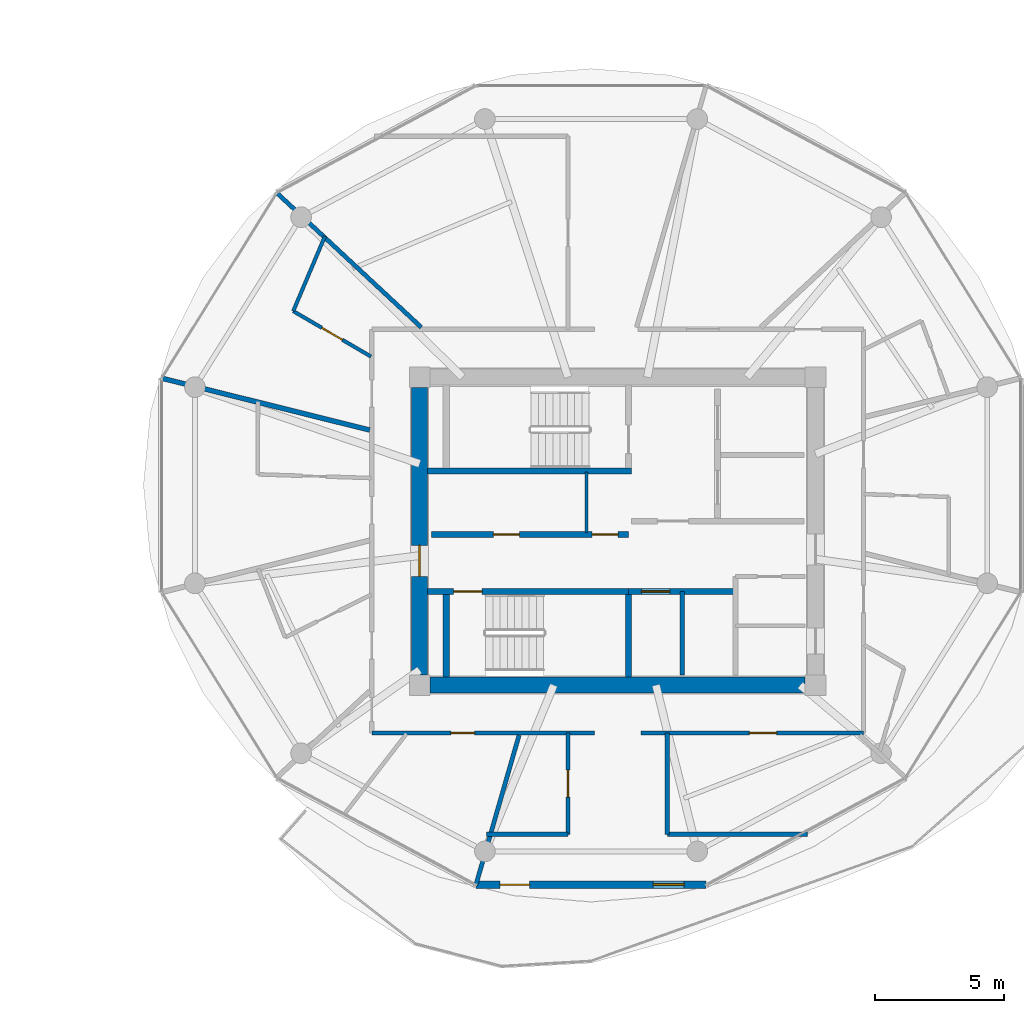
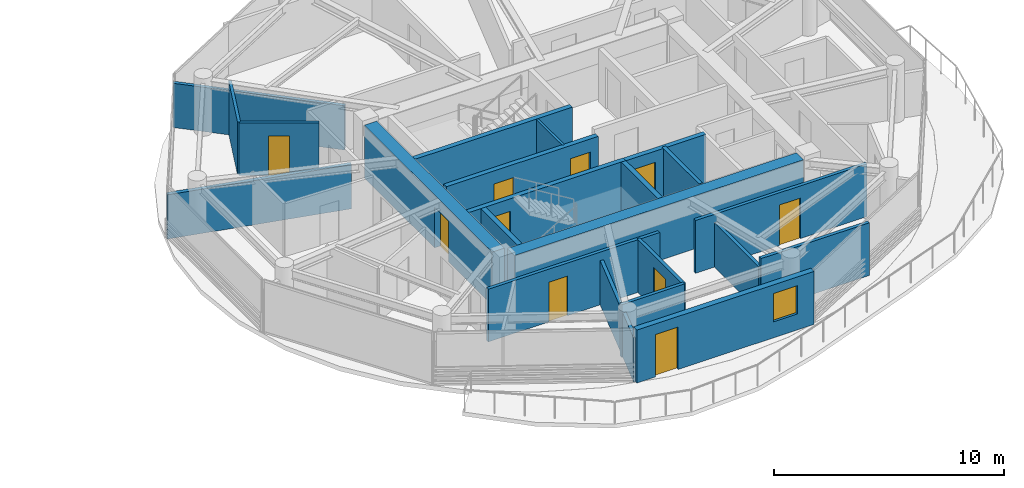
# One storey, part 15 of 22: 22 walls, 10 doors, 1 window, 11 openings.
"""IFC4 building model written with IfcOpenShell, lengths in metres."""

import ifcopenshell
import ifcopenshell.guid

model = None  # the IFC model being written
_history = None  # IfcOwnerHistory: only IFC2X3 demands one
_inside = {}  # id of a spatial element -> (the spatial element, [elements in it])
_under = {}  # id of a project, library or spatial element -> (it, [spatial elements below it])
_declared = {}  # id of a project -> (the project, [libraries it declares])
_typed = {}  # id of a type object -> (the type object, [elements of that type])
_made_of = {}  # id of a material, layer set ... -> (it, [elements and type objects made of it])


def new_model(schema):
    """Start an empty IFC model of exactly this schema.

    Asked for "IFC4X3", IfcOpenShell would pick the latest addendum, in which some entities
    have other attributes; the version numbers below select the first issue.
    IFC2X3 requires an IfcOwnerHistory on every rooted entity: one is made here for all.
    """
    global model, _history
    if schema == "IFC4X3":
        model = ifcopenshell.file(schema_version=(4, 3, 0, 0))
    else:
        model = ifcopenshell.file(schema=schema)
    _inside.clear()
    _under.clear()
    _declared.clear()
    _typed.clear()
    _made_of.clear()
    _history = None
    if model.schema == "IFC2X3":
        org = make("IfcOrganization", Name="unknown")
        user = make(
            "IfcPersonAndOrganization",
            ThePerson=make("IfcPerson", FamilyName="unknown"),
            TheOrganization=org,
        )
        app = make(
            "IfcApplication",
            ApplicationDeveloper=org,
            Version="unknown",
            ApplicationFullName="unknown",
            ApplicationIdentifier="unknown",
        )
        _history = make(
            "IfcOwnerHistory",
            OwningUser=user,
            OwningApplication=app,
            ChangeAction="ADDED",
            CreationDate=0,
        )
    return model


def make(cls, **values):
    """One entity of the class cls with the attributes given. An attribute that is None is left unset."""
    return model.create_entity(
        cls, **{name: value for name, value in values.items() if value is not None}
    )


def rooted(cls, **values):
    """An entity with a GlobalId (a new one), such as an element, a storey or a relation."""
    return make(cls, GlobalId=ifcopenshell.guid.new(), OwnerHistory=_history, **values)


def si_unit(unit_type, name, prefix=None):
    """IfcSIUnit, for example si_unit("LENGTHUNIT", "METRE", prefix="MILLI")."""
    return make("IfcSIUnit", UnitType=unit_type, Prefix=prefix, Name=name)


def assignment(units):
    """IfcUnitAssignment: the units of a project."""
    return None if units is None else make("IfcUnitAssignment", Units=units)


def point(xyz):
    """IfcCartesianPoint."""
    return None if xyz is None else make("IfcCartesianPoint", Coordinates=xyz)


def direction(xyz):
    """IfcDirection."""
    return None if xyz is None else make("IfcDirection", DirectionRatios=xyz)


def frame(location, z_axis=None, x_axis=None):
    """IfcAxis2Placement3D, a coordinate frame: its origin and axes. An axis left out is left unset."""
    return make(
        "IfcAxis2Placement3D",
        Location=point(location),
        Axis=direction(z_axis),
        RefDirection=direction(x_axis),
    )


def frame_2d(location, x_axis=None):
    """IfcAxis2Placement2D, a coordinate frame in the plane: its origin and x axis."""
    return make(
        "IfcAxis2Placement2D", Location=point(location), RefDirection=direction(x_axis)
    )


def origin():
    """The frame at (0, 0, 0) with its axes left unset."""
    return frame((0.0, 0.0, 0.0))


def place(relative_to, where):
    """IfcLocalPlacement: puts the frame where relative to a parent placement (None: the world)."""
    return make(
        "IfcLocalPlacement", PlacementRelTo=relative_to, RelativePlacement=where
    )


def context(
    kind, dimensions, precision=None, world=None, true_north=None, identifier=None
):
    """IfcGeometricRepresentationContext, for example the 3D "Model" context."""
    return make(
        "IfcGeometricRepresentationContext",
        ContextIdentifier=identifier,
        ContextType=kind,
        CoordinateSpaceDimension=dimensions,
        Precision=precision,
        WorldCoordinateSystem=world,
        TrueNorth=true_north,
    )


def subcontext(parent, identifier, kind, view, scale=None):
    """IfcGeometricRepresentationSubContext, for example "Body" below "Model"."""
    return make(
        "IfcGeometricRepresentationSubContext",
        ContextIdentifier=identifier,
        ContextType=kind,
        ParentContext=parent,
        TargetScale=scale,
        TargetView=view,
    )


def project(units=None, contexts=None):
    """IfcProject with its units and contexts."""
    return rooted(
        "IfcProject",
        Name="project",
        RepresentationContexts=contexts,
        UnitsInContext=assignment(units),
    )


def spatial(cls, under=None, at=None, **own):
    """A site, building, storey or space (cls), placed at a placement, below another one or the project."""
    s = rooted(cls, ObjectPlacement=at, **own)
    if under is not None:
        _under.setdefault(under.id(), (under, []))[1].append(s)
    return s


def profile(cls, at=None, kind="AREA", **sizes):
    """A parametric profile (cls). Its sizes go by their IFC names, for example OverallWidth=200.0."""
    return make(cls, ProfileType=kind, Position=at, **sizes)


def rectangle(**sizes):
    """IfcRectangleProfileDef."""
    return profile("IfcRectangleProfileDef", **sizes)


def extrude(swept, where, along, depth):
    """IfcExtrudedAreaSolid: the profile swept, set in the frame where, extruded along a direction by depth."""
    return make(
        "IfcExtrudedAreaSolid",
        SweptArea=swept,
        Position=where,
        ExtrudedDirection=direction(along),
        Depth=depth,
    )


def shape(context_of_items, identifier, shape_type, items):
    """IfcShapeRepresentation: the items that make up one representation, for example the "Body"."""
    return make(
        "IfcShapeRepresentation",
        ContextOfItems=context_of_items,
        RepresentationIdentifier=identifier,
        RepresentationType=shape_type,
        Items=items,
    )


def source(mapping_origin, context_of_items, identifier, shape_type, items):
    """IfcRepresentationMap: a shape defined once, which mapped items show again and again."""
    return make(
        "IfcRepresentationMap",
        MappingOrigin=mapping_origin,
        MappedRepresentation=shape(context_of_items, identifier, shape_type, items),
    )


def transform(
    local_origin,
    x_axis=None,
    y_axis=None,
    z_axis=None,
    scale=None,
    scale2=None,
    scale3=None,
    uniform=True,
):
    """IfcCartesianTransformationOperator3D, or its non-uniform kind. x_axis, y_axis, z_axis: its Axis1, 2, 3."""
    if uniform:
        return make(
            "IfcCartesianTransformationOperator3D",
            Axis1=direction(x_axis),
            Axis2=direction(y_axis),
            LocalOrigin=point(local_origin),
            Scale=scale,
            Axis3=direction(z_axis),
        )
    return make(
        "IfcCartesianTransformationOperator3DnonUniform",
        Axis1=direction(x_axis),
        Axis2=direction(y_axis),
        LocalOrigin=point(local_origin),
        Scale=scale,
        Axis3=direction(z_axis),
        Scale2=scale2,
        Scale3=scale3,
    )


def mapped(mapping_source, mapping_target):
    """IfcMappedItem: shows the shape of a source again, moved by a transform."""
    return make(
        "IfcMappedItem", MappingSource=mapping_source, MappingTarget=mapping_target
    )


def material(Name=None, Category=None):
    """IfcMaterial."""
    return make("IfcMaterial", Name=Name, Category=Category)


def layer(
    of_material, thickness, ventilated=None, Name=None, Category=None, Priority=None
):
    """IfcMaterialLayer: one layer of a wall or slab, of a material (None: an air gap)."""
    return make(
        "IfcMaterialLayer",
        Material=of_material,
        LayerThickness=thickness,
        IsVentilated=ventilated,
        Name=Name,
        Category=Category,
        Priority=Priority,
    )


def layer_set(layers, Name=None):
    """IfcMaterialLayerSet."""
    return make("IfcMaterialLayerSet", MaterialLayers=layers, LayerSetName=Name)


def made_of(thing, what):
    """Note that an element or type object is made of a material, layer set ...; save() writes the relation."""
    if what is not None:
        _made_of.setdefault(what.id(), (what, []))[1].append(thing)
    return thing


def type_object(cls, material=None, **own):
    """A type object (cls), such as IfcWallType, which elements share."""
    return made_of(rooted(cls, **own), material)


def type_shapes(of_type, sources):
    """Give a type object the sources (RepresentationMaps) that its elements show as mapped items."""
    of_type.RepresentationMaps = sources


def element(
    cls,
    number,
    at=None,
    inside=None,
    cuts=None,
    type_object=None,
    material=None,
    context=None,
    identifier="Body",
    shape_type=None,
    held_by="IfcProductDefinitionShape",
    body=None,
    shapes=None,
    **own,
):
    """One element of the class cls, such as IfcWall. Its Tag is "e" and its number.

    at: its placement. inside: the storey or other place that contains it. cuts: it is an
    opening in that element (IfcRelVoidsElement). A single representation is given by context,
    identifier, shape_type and body (its items); several are given by shapes. held_by: the class
    of the entity that holds the representations. save() writes the other relations.
    """
    e = rooted(cls, Tag="e%d" % number, ObjectPlacement=at, **own)
    if body is not None:
        shapes = [shape(context, identifier, shape_type, body)]
    if shapes is not None:
        e.Representation = make(held_by, Representations=shapes)
    if inside is not None:
        _inside.setdefault(inside.id(), (inside, []))[1].append(e)
    if cuts is not None:
        rooted(
            "IfcRelVoidsElement", RelatingBuildingElement=cuts, RelatedOpeningElement=e
        )
    if type_object is not None:
        _typed.setdefault(type_object.id(), (type_object, []))[1].append(e)
    return made_of(e, material)


def fill(opening, filler):
    """IfcRelFillsElement: the door or window that sits in an opening."""
    return rooted(
        "IfcRelFillsElement",
        RelatingOpeningElement=opening,
        RelatedBuildingElement=filler,
    )


def aggregate(whole, parts):
    """IfcRelAggregates: a whole, such as a stair, and the parts it consists of."""
    return rooted("IfcRelAggregates", RelatingObject=whole, RelatedObjects=parts)


def save(model, path):
    """Write the relations noted so far, then the file.

    IfcRelAggregates (storeys below a building ...), IfcRelContainedInSpatialStructure (elements
    in a storey), IfcRelDefinesByType, IfcRelAssociatesMaterial and IfcRelDeclares: one each for
    every whole, place, type object, material and project.
    """
    for whole, parts in _under.values():
        aggregate(whole, parts)
    for where, things in _inside.values():
        rooted(
            "IfcRelContainedInSpatialStructure",
            RelatedElements=things,
            RelatingStructure=where,
        )
    for kind, things in _typed.values():
        rooted("IfcRelDefinesByType", RelatedObjects=things, RelatingType=kind)
    for what, things in _made_of.values():
        rooted("IfcRelAssociatesMaterial", RelatedObjects=things, RelatingMaterial=what)
    for by, libraries in _declared.values():
        rooted("IfcRelDeclares", RelatingContext=by, RelatedDefinitions=libraries)
    model.write(path)


model = new_model("IFC4")

# Units and contexts
model_context = context("Model", 3, precision=1e-05, world=origin(), true_north=direction((0.0, 1.0)))
body_context = subcontext(model_context, "Body", "Model", "MODEL_VIEW")
ifc_project = project(units=[si_unit("LENGTHUNIT", "METRE"), si_unit("AREAUNIT", "SQUARE_METRE"), si_unit("VOLUMEUNIT", "CUBIC_METRE"), si_unit("PLANEANGLEUNIT", "RADIAN"), si_unit("MASSUNIT", "GRAM", prefix="KILO")], contexts=[model_context])

# Site, building, storey
site_placement = place(None, origin())
site = spatial("IfcSite", under=ifc_project, at=site_placement, CompositionType="ELEMENT")
building_placement = place(site_placement, origin())
building = spatial("IfcBuilding", under=site, at=building_placement, Name="Norrkilde Senior Care Towers", CompositionType="ELEMENT")
storey_placement = place(building_placement, frame((0.0, 0.0, 152.60009765625)))
storey = spatial("IfcBuildingStorey", under=building, at=storey_placement, Name="L47", CompositionType="ELEMENT", Elevation=152.60009765625)

# Wall
ifc_material_1 = material(Name="Concrete C50/60", Category="concrete")
ifc_layer_1 = layer(ifc_material_1, 0.6201171875)
ifc_layer_set_1 = layer_set([ifc_layer_1], Name="Concrete C50/60")
wall_type_1 = type_object("IfcWallType", Name="Core Shear Wall Z3 620", PredefinedType="SHEAR", material=ifc_layer_set_1)
shared_shape_1 = source(origin(), body_context, "Body", "SweptSolid", [
    extrude(rectangle(XDim=14.5, YDim=0.6201171875, at=frame_2d((7.25, 0.0))), origin(), (0.0, 0.0, 1.0), 2.809814453125),
])
wall_1_placement = place(storey_placement, frame((35.25, -5.949951171875, 0.0), z_axis=(0.0, 0.0, 1.0), x_axis=(-1.0, 0.0, 0.0)))
element("IfcWall", 1, at=wall_1_placement, inside=storey, type_object=wall_type_1, Name="L47 Core E South Shear Wall", PredefinedType="SHEAR", context=body_context, shape_type="MappedRepresentation", body=[
    mapped(shared_shape_1, transform((0.0, 0.0, 0.0), x_axis=(1.0, 0.0, 0.0), y_axis=(0.0, 1.0, 0.0), z_axis=(0.0, 0.0, 1.0), scale=1.0)),
])

# Wall, opening, door
shared_shape_2 = source(origin(), body_context, "Body", "SweptSolid", [
    extrude(rectangle(XDim=11.10009765625, YDim=0.6201171875, at=frame_2d((5.550048828125, 0.0))), origin(), (0.0, 0.0, 1.0), 2.809814453125),
])
type_shapes(wall_type_1, [shared_shape_1, shared_shape_2])
wall_2_placement = place(storey_placement, frame((20.35009765625, -5.550048828125, 0.0), z_axis=(0.0, 0.0, 1.0), x_axis=(0.0, 1.0, 0.0)))
wall_2 = element("IfcWall", 2, at=wall_2_placement, inside=storey, type_object=wall_type_1, Name="L47 Core E West Shear Wall", PredefinedType="SHEAR", context=body_context, shape_type="MappedRepresentation", body=[
    mapped(shared_shape_2, transform((0.0, 0.0, 0.0), x_axis=(1.0, 0.0, 0.0), y_axis=(0.0, 1.0, 0.0), z_axis=(0.0, 0.0, 1.0), scale=1.0)),
])
opening_1_placement = place(wall_2_placement, frame((3.800048828125, 0.0, 0.0)))
opening_1 = element("IfcOpeningElement", 3, at=opening_1_placement, cuts=wall_2, Name="Opening D-04", PredefinedType="OPENING", context=body_context, shape_type="SweptSolid", body=[
    extrude(rectangle(XDim=1.199951171875, YDim=2.14990234375, at=frame_2d((0.60009765625, 1.074951171875))), frame((0.0, 0.320068359375, 0.0), z_axis=(0.0, -1.0, 0.0), x_axis=(1.0, 0.0, 0.0)), (0.0, 0.0, 1.0), 0.64013671875),
])
ifc_material_2 = material(Name="Galvanised Painted Steel", Category="steel")
door_type_1 = type_object("IfcDoorType", Name="Firefighting Lobby Fire Door 1200x2150", OperationType="NOTDEFINED", PredefinedType="DOOR", material=ifc_material_2)
shared_shape_3 = source(origin(), body_context, "Body", "SweptSolid", [
    extrude(rectangle(XDim=1.199951171875, YDim=2.14990234375, at=frame_2d((0.60009765625, 1.074951171875))), frame((0.0, 0.02490234375, 0.0), z_axis=(0.0, -1.0, 0.0), x_axis=(1.0, 0.0, 0.0)), (0.0, 0.0, 1.0), 0.050048828125),
])
type_shapes(door_type_1, [shared_shape_3])
door_1_placement = place(opening_1_placement, frame((1.199951171875, 0.0, 0.0), z_axis=(0.0, 0.0, 1.0), x_axis=(-1.0, 0.0, 0.0)))
door_1 = element("IfcDoor", 4, at=door_1_placement, inside=storey, type_object=door_type_1, Name="L47 Core E West Portal Door", OperationType="SINGLE_SWING_LEFT", OverallHeight=2.14990234375, OverallWidth=1.199951171875, PredefinedType="DOOR", context=body_context, shape_type="MappedRepresentation", body=[
    mapped(shared_shape_3, transform((0.0, 0.0, 0.0), x_axis=(1.0, 0.0, 0.0), y_axis=(0.0, 1.0, 0.0), z_axis=(0.0, 0.0, 1.0), scale=1.0)),
])
fill(opening_1, door_1)

# Wall, openings, door, window
ifc_material_3 = material(Name="Precast concrete C45/55", Category="concrete")
ifc_layer_2 = layer(ifc_material_3, 0.2900390625)
ifc_layer_set_2 = layer_set([ifc_layer_2], Name="Precast concrete C45/55")
wall_type_2 = type_object("IfcWallType", Name="Winter Garden Facade Wall 290", PredefinedType="SOLIDWALL", material=ifc_layer_set_2)
shared_shape_4 = source(origin(), body_context, "Body", "SweptSolid", [
    extrude(rectangle(XDim=8.89306640625, YDim=0.2900390625, at=frame_2d((4.446533203125, 0.0))), origin(), (0.0, 0.0, 1.0), 2.809814453125),
])
type_shapes(wall_type_2, [shared_shape_4])
wall_3_placement = place(storey_placement, frame((31.421630859375, -13.66015625, 0.0), z_axis=(0.0, 0.0, 1.0), x_axis=(-1.0, 0.0, 0.0)))
wall_3 = element("IfcWall", 5, at=wall_3_placement, inside=storey, type_object=wall_type_2, Name="L47 Drum E Balcony Access Wall 08", PredefinedType="SOLIDWALL", context=body_context, shape_type="MappedRepresentation", body=[
    mapped(shared_shape_4, transform((0.0, 0.0, 0.0), x_axis=(1.0, 0.0, 0.0), y_axis=(0.0, 1.0, 0.0), z_axis=(0.0, 0.0, 1.0), scale=1.0)),
])
opening_2_placement = place(wall_3_placement, frame((6.820068359375, 0.0, 0.0)))
opening_2 = element("IfcOpeningElement", 6, at=opening_2_placement, cuts=wall_3, Name="Opening D-09", PredefinedType="OPENING", context=body_context, shape_type="SweptSolid", body=[
    extrude(rectangle(XDim=1.14990234375, YDim=2.25, at=frame_2d((0.574951171875, 1.125))), frame((0.0, 0.155029296875, 0.0), z_axis=(0.0, -1.0, 0.0), x_axis=(1.0, 0.0, 0.0)), (0.0, 0.0, 1.0), 0.31005859375),
])
opening_3_placement = place(wall_3_placement, frame((0.85009765625, 0.0, 0.85009765625)))
opening_3 = element("IfcOpeningElement", 7, at=opening_3_placement, cuts=wall_3, Name="Opening WN-07", PredefinedType="OPENING", context=body_context, shape_type="SweptSolid", body=[
    extrude(rectangle(XDim=1.199951171875, YDim=1.5, at=frame_2d((0.60009765625, 0.75))), frame((0.0, 0.155029296875, 0.0), z_axis=(0.0, -1.0, 0.0), x_axis=(1.0, 0.0, 0.0)), (0.0, 0.0, 1.0), 0.31005859375),
])
ifc_material_4 = material(Name="Anodised Aluminium", Category="aluminium")
door_type_2 = type_object("IfcDoorType", Name="Terrace and Balcony Glazed Door 1150x2250", OperationType="NOTDEFINED", PredefinedType="DOOR", material=ifc_material_4)
shared_shape_5 = source(origin(), body_context, "Body", "SweptSolid", [
    extrude(rectangle(XDim=1.14990234375, YDim=2.25, at=frame_2d((0.574951171875, 1.125))), frame((0.0, 0.02490234375, 0.0), z_axis=(0.0, -1.0, 0.0), x_axis=(1.0, 0.0, 0.0)), (0.0, 0.0, 1.0), 0.050048828125),
])
type_shapes(door_type_2, [shared_shape_5])
door_2_placement = place(opening_2_placement, origin())
door_2 = element("IfcDoor", 8, at=door_2_placement, inside=storey, type_object=door_type_2, Name="L47 Drum E Outdoor Terrace Door 08", OperationType="SINGLE_SWING_LEFT", OverallHeight=2.25, OverallWidth=1.14990234375, PredefinedType="DOOR", context=body_context, shape_type="MappedRepresentation", body=[
    mapped(shared_shape_5, transform((0.0, 0.0, 0.0), x_axis=(1.0, 0.0, 0.0), y_axis=(0.0, 1.0, 0.0), z_axis=(0.0, 0.0, 1.0), scale=1.0)),
])
fill(opening_2, door_2)
ifc_material_5 = material(Name="Triple Low-E Insulated Glazing", Category="glass")
window_type = type_object("IfcWindowType", Name="Stairwell Smoke Vent Window 1200x1500", PartitioningType="SINGLE_PANEL", PredefinedType="WINDOW", material=ifc_material_5)
shared_shape_6 = source(origin(), body_context, "Body", "SweptSolid", [
    extrude(rectangle(XDim=1.199951171875, YDim=1.5, at=frame_2d((0.60009765625, 0.75))), frame((0.0, 0.030029296875, 0.0), z_axis=(0.0, -1.0, 0.0), x_axis=(1.0, 0.0, 0.0)), (0.0, 0.0, 1.0), 0.06005859375),
])
type_shapes(window_type, [shared_shape_6])
window_placement = place(opening_3_placement, origin())
window = element("IfcWindow", 9, at=window_placement, inside=storey, type_object=window_type, Name="L47 Drum E Winter Garden Window 08", OverallHeight=1.5, OverallWidth=1.199951171875, PartitioningType="SINGLE_PANEL", PredefinedType="WINDOW", context=body_context, shape_type="MappedRepresentation", body=[
    mapped(shared_shape_6, transform((0.0, 0.0, 0.0), x_axis=(1.0, 0.0, 0.0), y_axis=(0.0, 1.0, 0.0), z_axis=(0.0, 0.0, 1.0), scale=1.0)),
])
fill(opening_3, window)

# Wall, openings, doors
ifc_material_6 = material(Name="Concrete C45/55", Category="concrete")
ifc_layer_3 = layer(ifc_material_6, 0.239990234375)
ifc_layer_set_3 = layer_set([ifc_layer_3], Name="Concrete C45/55")
wall_type_3 = type_object("IfcWallType", Name="Lift and Plant Rated Enclosure Partition 240", PredefinedType="PARTITIONING", material=ifc_layer_set_3)
shared_shape_7 = source(origin(), body_context, "Body", "SweptSolid", [
    extrude(rectangle(XDim=7.619873046875, YDim=0.239990234375, at=frame_2d((3.81005859375, 0.0))), origin(), (0.0, 0.0, 1.0), 2.794921875),
])
wall_4_placement = place(storey_placement, frame((20.800048828125, -0.1298828125, 0.0), z_axis=(0.0, 0.0, 1.0), x_axis=(1.0, 0.0, 0.0)))
wall_4 = element("IfcWall", 10, at=wall_4_placement, inside=storey, type_object=wall_type_3, Name="WL-INT-L47-E-PKAS", PredefinedType="PARTITIONING", context=body_context, shape_type="MappedRepresentation", body=[
    mapped(shared_shape_7, transform((0.0, 0.0, 0.0), x_axis=(1.0, 0.0, 0.0), y_axis=(0.0, 1.0, 0.0), z_axis=(0.0, 0.0, 1.0), scale=1.0)),
])
opening_4_placement = place(wall_4_placement, frame((6.219970703125, 0.0, 0.0)))
opening_4 = element("IfcOpeningElement", 11, at=opening_4_placement, cuts=wall_4, Name="Opening D-10", PredefinedType="OPENING", context=body_context, shape_type="SweptSolid", body=[
    extrude(rectangle(XDim=1.0, YDim=2.10009765625, at=frame_2d((0.5, 1.050048828125))), frame((0.0, 0.1298828125, 0.0), z_axis=(0.0, -1.0, 0.0), x_axis=(1.0, 0.0, 0.0)), (0.0, 0.0, 1.0), 0.260009765625),
])
opening_5_placement = place(wall_4_placement, frame((2.39990234375, 0.0, 0.0)))
opening_5 = element("IfcOpeningElement", 12, at=opening_5_placement, cuts=wall_4, Name="Opening D-10", PredefinedType="OPENING", context=body_context, shape_type="SweptSolid", body=[
    extrude(rectangle(XDim=1.0, YDim=2.10009765625, at=frame_2d((0.5, 1.050048828125))), frame((0.0, 0.1298828125, 0.0), z_axis=(0.0, -1.0, 0.0), x_axis=(1.0, 0.0, 0.0)), (0.0, 0.0, 1.0), 0.260009765625),
])
door_type_3 = type_object("IfcDoorType", Name="Plant and Riser Rated Door 1000x2100", OperationType="NOTDEFINED", PredefinedType="DOOR", material=ifc_material_2)
shared_shape_8 = source(origin(), body_context, "Body", "SweptSolid", [
    extrude(rectangle(XDim=1.0, YDim=2.10009765625, at=frame_2d((0.5, 1.050048828125))), frame((0.0, 0.02490234375, 0.0), z_axis=(0.0, -1.0, 0.0), x_axis=(1.0, 0.0, 0.0)), (0.0, 0.0, 1.0), 0.050048828125),
])
type_shapes(door_type_3, [shared_shape_8])
door_3_placement = place(opening_4_placement, frame((1.0, 0.0, 0.0), z_axis=(0.0, 0.0, 1.0), x_axis=(-1.0, 0.0, 0.0)))
door_3 = element("IfcDoor", 13, at=door_3_placement, inside=storey, type_object=door_type_3, Name="L47 Electrical Riser E Door", OperationType="SINGLE_SWING_LEFT", OverallHeight=2.10009765625, OverallWidth=1.0, PredefinedType="DOOR", context=body_context, shape_type="MappedRepresentation", body=[
    mapped(shared_shape_8, transform((0.0, 0.0, 0.0), x_axis=(1.0, 0.0, 0.0), y_axis=(0.0, 1.0, 0.0), z_axis=(0.0, 0.0, 1.0), scale=1.0)),
])
fill(opening_4, door_3)
door_4_placement = place(opening_5_placement, frame((1.0, 0.0, 0.0), z_axis=(0.0, 0.0, 1.0), x_axis=(-1.0, 0.0, 0.0)))
door_4 = element("IfcDoor", 14, at=door_4_placement, inside=storey, type_object=door_type_3, Name="L47 Clean Supply Store E Door", OperationType="SINGLE_SWING_LEFT", OverallHeight=2.10009765625, OverallWidth=1.0, PredefinedType="DOOR", context=body_context, shape_type="MappedRepresentation", body=[
    mapped(shared_shape_8, transform((0.0, 0.0, 0.0), x_axis=(1.0, 0.0, 0.0), y_axis=(0.0, 1.0, 0.0), z_axis=(0.0, 0.0, 1.0), scale=1.0)),
])
fill(opening_5, door_4)

# Wall
ifc_material_7 = material(Name="Gypsum Acoustic Board")
ifc_layer_4 = layer(ifc_material_7, 0.114990234375)
ifc_layer_set_4 = layer_set([ifc_layer_4], Name="Gypsum Acoustic Board")
wall_type_4 = type_object("IfcWallType", Name="Internal Room Partition 115", PredefinedType="PARTITIONING", material=ifc_layer_set_4)
shared_shape_9 = source(origin(), body_context, "Body", "SweptSolid", [
    extrude(rectangle(XDim=2.330078125, YDim=0.114990234375, at=frame_2d((1.1650390625, 0.0))), origin(), (0.0, 0.0, 1.0), 2.794921875),
])
type_shapes(wall_type_4, [shared_shape_9])
wall_5_placement = place(storey_placement, frame((26.7900390625, -0.050048828125, 0.0), z_axis=(0.0, 0.0, 1.0), x_axis=(0.0, 1.0, 0.0)))
element("IfcWall", 15, at=wall_5_placement, inside=storey, type_object=wall_type_4, Name="WL-INT-L47-E-RISW", PredefinedType="PARTITIONING", context=body_context, shape_type="MappedRepresentation", body=[
    mapped(shared_shape_9, transform((0.0, 0.0, 0.0), x_axis=(1.0, 0.0, 0.0), y_axis=(0.0, 1.0, 0.0), z_axis=(0.0, 0.0, 1.0), scale=1.0)),
])

# Wall, opening, door
shared_shape_10 = source(origin(), body_context, "Body", "SweptSolid", [
    extrude(rectangle(XDim=4.130126953125, YDim=0.239990234375, at=frame_2d((2.06494140625, 0.0))), origin(), (0.0, 0.0, 1.0), 2.794921875),
])
type_shapes(wall_type_3, [shared_shape_7, shared_shape_10])
wall_6_placement = place(storey_placement, frame((28.419921875, -2.330078125, 0.0), z_axis=(0.0, 0.0, 1.0), x_axis=(1.0, 0.0, 0.0)))
wall_6 = element("IfcWall", 16, at=wall_6_placement, inside=storey, type_object=wall_type_3, Name="WL-INT-L47-E-PKBN", PredefinedType="PARTITIONING", context=body_context, shape_type="MappedRepresentation", body=[
    mapped(shared_shape_10, transform((0.0, 0.0, 0.0), x_axis=(1.0, 0.0, 0.0), y_axis=(0.0, 1.0, 0.0), z_axis=(0.0, 0.0, 1.0), scale=1.0)),
])
opening_6_placement = place(wall_6_placement, frame((0.5, 0.0, 0.0)))
opening_6 = element("IfcOpeningElement", 17, at=opening_6_placement, cuts=wall_6, Name="Opening LD-01", PredefinedType="OPENING", context=body_context, shape_type="SweptSolid", body=[
    extrude(rectangle(XDim=1.10009765625, YDim=2.199951171875, at=frame_2d((0.550048828125, 1.10009765625))), frame((0.0, 0.1298828125, 0.0), z_axis=(0.0, -1.0, 0.0), x_axis=(1.0, 0.0, 0.0)), (0.0, 0.0, 1.0), 0.260009765625),
])
ifc_material_8 = material(Name="Stainless Steel", Category="steel")
door_type_4 = type_object("IfcDoorType", Name="Lift Landing Sliding Door 1100x2200", OperationType="NOTDEFINED", PredefinedType="DOOR", material=ifc_material_8)
shared_shape_11 = source(origin(), body_context, "Body", "SweptSolid", [
    extrude(rectangle(XDim=1.10009765625, YDim=2.199951171875, at=frame_2d((0.550048828125, 1.10009765625))), frame((0.0, 0.02490234375, 0.0), z_axis=(0.0, -1.0, 0.0), x_axis=(1.0, 0.0, 0.0)), (0.0, 0.0, 1.0), 0.050048828125),
])
type_shapes(door_type_4, [shared_shape_11])
door_5_placement = place(opening_6_placement, frame((1.10009765625, 0.0, 0.0), z_axis=(0.0, 0.0, 1.0), x_axis=(-1.0, 0.0, 0.0)))
door_5 = element("IfcDoor", 18, at=door_5_placement, inside=storey, type_object=door_type_4, Name="L47 Passenger Lift E3 Landing Door", OperationType="SLIDING_TO_LEFT", OverallHeight=2.199951171875, OverallWidth=1.10009765625, PredefinedType="DOOR", context=body_context, shape_type="MappedRepresentation", body=[
    mapped(shared_shape_11, transform((0.0, 0.0, 0.0), x_axis=(1.0, 0.0, 0.0), y_axis=(0.0, 1.0, 0.0), z_axis=(0.0, 0.0, 1.0), scale=1.0)),
])
fill(opening_6, door_5)

# Wall
ifc_layer_5 = layer(ifc_material_6, 0.179931640625)
ifc_layer_set_5 = layer_set([ifc_layer_5], Name="Concrete C45/55")
wall_type_5 = type_object("IfcWallType", Name="Hoistway Division Rated Partition 180", PredefinedType="PARTITIONING", material=ifc_layer_set_5)
shared_shape_12 = source(origin(), body_context, "Body", "SweptSolid", [
    extrude(rectangle(XDim=3.219970703125, YDim=0.179931640625, at=frame_2d((1.60986328125, 0.0))), origin(), (0.0, 0.0, 1.0), 2.794921875),
])
type_shapes(wall_type_5, [shared_shape_12])
wall_7_placement = place(storey_placement, frame((30.5, -5.550048828125, 0.0), z_axis=(0.0, 0.0, 1.0), x_axis=(0.0, 1.0, 0.0)))
element("IfcWall", 19, at=wall_7_placement, inside=storey, type_object=wall_type_5, Name="WL-INT-L47-E-PL34", PredefinedType="PARTITIONING", context=body_context, shape_type="MappedRepresentation", body=[
    mapped(shared_shape_12, transform((0.0, 0.0, 0.0), x_axis=(1.0, 0.0, 0.0), y_axis=(0.0, 1.0, 0.0), z_axis=(0.0, 0.0, 1.0), scale=1.0)),
])

# Wall, opening, door
ifc_layer_6 = layer(ifc_material_7, 0.1650390625)
ifc_layer_set_6 = layer_set([ifc_layer_6], Name="Gypsum Acoustic Board")
wall_type_6 = type_object("IfcWallType", Name="Corridor Rated Partition 165", PredefinedType="PARTITIONING", material=ifc_layer_set_6)
shared_shape_13 = source(origin(), body_context, "Body", "SweptSolid", [
    extrude(rectangle(XDim=8.60009765625, YDim=0.1650390625, at=frame_2d((4.300048828125, 0.0))), origin(), (0.0, 0.0, 1.0), 2.794921875),
])
wall_8_placement = place(storey_placement, frame((37.5, -7.800048828125, 0.0), z_axis=(0.0, 0.0, 1.0), x_axis=(-1.0, 0.0, 0.0)))
wall_8 = element("IfcWall", 20, at=wall_8_placement, inside=storey, type_object=wall_type_6, Name="WL-INT-L47-E-CRW-S-0", PredefinedType="PARTITIONING", context=body_context, shape_type="MappedRepresentation", body=[
    mapped(shared_shape_13, transform((0.0, 0.0, 0.0), x_axis=(1.0, 0.0, 0.0), y_axis=(0.0, 1.0, 0.0), z_axis=(0.0, 0.0, 1.0), scale=1.0)),
])
opening_7_placement = place(wall_8_placement, frame((3.359130859375, 0.0, 0.0)))
opening_7 = element("IfcOpeningElement", 21, at=opening_7_placement, cuts=wall_8, Name="Opening D-06", PredefinedType="OPENING", context=body_context, shape_type="SweptSolid", body=[
    extrude(rectangle(XDim=1.050048828125, YDim=2.14990234375, at=frame_2d((0.52490234375, 1.074951171875))), frame((0.0, 0.092529296875, 0.0), z_axis=(0.0, -1.0, 0.0), x_axis=(1.0, 0.0, 0.0)), (0.0, 0.0, 1.0), 0.18505859375),
])
ifc_material_9 = material(Name="Nordic Ash Timber", Category="wood")
door_type_5 = type_object("IfcDoorType", Name="Apartment Entrance Fire Door 1050x2150", OperationType="NOTDEFINED", PredefinedType="DOOR", material=ifc_material_9)
shared_shape_14 = source(origin(), body_context, "Body", "SweptSolid", [
    extrude(rectangle(XDim=1.050048828125, YDim=2.14990234375, at=frame_2d((0.52490234375, 1.074951171875))), frame((0.0, 0.02490234375, 0.0), z_axis=(0.0, -1.0, 0.0), x_axis=(1.0, 0.0, 0.0)), (0.0, 0.0, 1.0), 0.050048828125),
])
type_shapes(door_type_5, [shared_shape_14])
door_6_placement = place(opening_7_placement, frame((1.050048828125, 0.0, 0.0), z_axis=(0.0, 0.0, 1.0), x_axis=(-1.0, 0.0, 0.0)))
door_6 = element("IfcDoor", 22, at=door_6_placement, inside=storey, type_object=door_type_5, Name="L47 Reading Lounge SEL Door", OperationType="SINGLE_SWING_RIGHT", OverallHeight=2.14990234375, OverallWidth=1.050048828125, PredefinedType="DOOR", context=body_context, shape_type="MappedRepresentation", body=[
    mapped(shared_shape_14, transform((0.0, 0.0, 0.0), x_axis=(1.0, 0.0, 0.0), y_axis=(0.0, 1.0, 0.0), z_axis=(0.0, 0.0, 1.0), scale=1.0)),
])
fill(opening_7, door_6)

wall_9_placement = place(storey_placement, frame((27.10009765625, -7.800048828125, 0.0), z_axis=(0.0, 0.0, 1.0), x_axis=(-1.0, 0.0, 0.0)))
wall_9 = element("IfcWall", 23, at=wall_9_placement, inside=storey, type_object=wall_type_6, Name="WL-INT-L47-E-CRW-S-1", PredefinedType="PARTITIONING", context=body_context, shape_type="MappedRepresentation", body=[
    mapped(shared_shape_13, transform((0.0, 0.0, 0.0), x_axis=(1.0, 0.0, 0.0), y_axis=(0.0, 1.0, 0.0), z_axis=(0.0, 0.0, 1.0), scale=1.0)),
])
opening_8_placement = place(wall_9_placement, frame((4.62451171875, 0.0, 0.0)))
opening_8 = element("IfcOpeningElement", 24, at=opening_8_placement, cuts=wall_9, Name="Opening D-08", PredefinedType="OPENING", context=body_context, shape_type="SweptSolid", body=[
    extrude(rectangle(XDim=0.919921875, YDim=2.10009765625, at=frame_2d((0.4599609375, 1.050048828125))), frame((0.0, 0.092529296875, 0.0), z_axis=(0.0, -1.0, 0.0), x_axis=(1.0, 0.0, 0.0)), (0.0, 0.0, 1.0), 0.18505859375),
])
door_type_6 = type_object("IfcDoorType", Name="Accessible Wet Room Door 920x2100", OperationType="NOTDEFINED", PredefinedType="DOOR", material=ifc_material_9)
shared_shape_15 = source(origin(), body_context, "Body", "SweptSolid", [
    extrude(rectangle(XDim=0.919921875, YDim=2.10009765625, at=frame_2d((0.4599609375, 1.050048828125))), frame((0.0, 0.02490234375, 0.0), z_axis=(0.0, -1.0, 0.0), x_axis=(1.0, 0.0, 0.0)), (0.0, 0.0, 1.0), 0.050048828125),
])
type_shapes(door_type_6, [shared_shape_15])
door_7_placement = place(opening_8_placement, frame((0.919921875, 0.0, 0.0), z_axis=(0.0, 0.0, 1.0), x_axis=(-1.0, 0.0, 0.0)))
door_7 = element("IfcDoor", 25, at=door_7_placement, inside=storey, type_object=door_type_6, Name="L47 Public Restroom Door", OperationType="SINGLE_SWING_LEFT", OverallHeight=2.10009765625, OverallWidth=0.919921875, PredefinedType="DOOR", context=body_context, shape_type="MappedRepresentation", body=[
    mapped(shared_shape_15, transform((0.0, 0.0, 0.0), x_axis=(1.0, 0.0, 0.0), y_axis=(0.0, 1.0, 0.0), z_axis=(0.0, 0.0, 1.0), scale=1.0)),
])
fill(opening_8, door_7)

# Walls
shared_shape_16 = source(origin(), body_context, "Body", "SweptSolid", [
    extrude(rectangle(XDim=6.035400390625, YDim=0.1650390625, at=frame_2d((3.017578125, 0.0))), origin(), (0.0, 0.0, 1.0), 2.344970703125),
])
wall_10_placement = place(storey_placement, frame((24.19384765625, -7.8798828125, 0.0), z_axis=(0.0, 0.0, 1.0), x_axis=(-0.276809454862, -0.960924828329, 0.0)))
element("IfcWall", 26, at=wall_10_placement, inside=storey, type_object=wall_type_6, Name="WL-INT-L47-E-DEM-08-0", PredefinedType="PARTITIONING", context=body_context, shape_type="MappedRepresentation", body=[
    mapped(shared_shape_16, transform((0.0, 0.0, 0.0), x_axis=(1.0, 0.0, 0.0), y_axis=(0.0, 1.0, 0.0), z_axis=(0.0, 0.0, 1.0), scale=1.0)),
])
ifc_layer_7 = layer(ifc_material_7, 0.18994140625)
ifc_layer_set_7 = layer_set([ifc_layer_7], Name="Gypsum Acoustic Board")
wall_type_7 = type_object("IfcWallType", Name="Unit Demising Acoustic Wall 190", PredefinedType="PARTITIONING", material=ifc_layer_set_7)
shared_shape_17 = source(origin(), body_context, "Body", "SweptSolid", [
    extrude(rectangle(XDim=8.305419921875, YDim=0.18994140625, at=frame_2d((4.15283203125, 0.0))), origin(), (0.0, 0.0, 1.0), 2.344970703125),
])
type_shapes(wall_type_7, [shared_shape_17])
wall_11_placement = place(storey_placement, frame((18.419921875, 3.90771484375, 0.0), z_axis=(0.0, 0.0, 1.0), x_axis=(-0.970309994378, 0.241864662175, 0.0)))
element("IfcWall", 27, at=wall_11_placement, inside=storey, type_object=wall_type_7, Name="WL-INT-L47-E-DEM-05-0", PredefinedType="PARTITIONING", context=body_context, shape_type="MappedRepresentation", body=[
    mapped(shared_shape_17, transform((0.0, 0.0, 0.0), x_axis=(1.0, 0.0, 0.0), y_axis=(0.0, 1.0, 0.0), z_axis=(0.0, 0.0, 1.0), scale=1.0)),
])
shared_shape_18 = source(origin(), body_context, "Body", "SweptSolid", [
    extrude(rectangle(XDim=7.648193359375, YDim=0.1650390625, at=frame_2d((3.82421875, 0.0))), origin(), (0.0, 0.0, 1.0), 2.344970703125),
])
wall_12_placement = place(storey_placement, frame((20.41259765625, 7.8798828125, 0.0), z_axis=(0.0, 0.0, 1.0), x_axis=(-0.732182665826, 0.681108320213, 0.0)))
element("IfcWall", 28, at=wall_12_placement, inside=storey, type_object=wall_type_6, Name="WL-INT-L47-E-DEM-04-0", PredefinedType="PARTITIONING", context=body_context, shape_type="MappedRepresentation", body=[
    mapped(shared_shape_18, transform((0.0, 0.0, 0.0), x_axis=(1.0, 0.0, 0.0), y_axis=(0.0, 1.0, 0.0), z_axis=(0.0, 0.0, 1.0), scale=1.0)),
])
ifc_layer_8 = layer(ifc_material_6, 0.239990234375)
ifc_layer_set_8 = layer_set([ifc_layer_8], Name="Concrete C45/55")
wall_type_8 = type_object("IfcWallType", Name="Shaft and Stair Enclosure Wall 240", PredefinedType="PARTITIONING", material=ifc_layer_set_8)
shared_shape_19 = source(origin(), body_context, "Body", "SweptSolid", [
    extrude(rectangle(XDim=7.880126953125, YDim=0.239990234375, at=frame_2d((3.93994140625, 0.0))), origin(), (0.0, 0.0, 1.0), 2.809814453125),
])
wall_13_placement = place(storey_placement, frame((20.659912109375, 2.330078125, 0.0), z_axis=(0.0, 0.0, 1.0), x_axis=(1.0, 0.0, 0.0)))
element("IfcWall", 29, at=wall_13_placement, inside=storey, type_object=wall_type_8, Name="WL-INT-L47-E-ST1S", PredefinedType="PARTITIONING", context=body_context, shape_type="MappedRepresentation", body=[
    mapped(shared_shape_19, transform((0.0, 0.0, 0.0), x_axis=(1.0, 0.0, 0.0), y_axis=(0.0, 1.0, 0.0), z_axis=(0.0, 0.0, 1.0), scale=1.0)),
])

# Wall, opening, door
wall_14_placement = place(storey_placement, frame((20.659912109375, -2.330078125, 0.0), z_axis=(0.0, 0.0, 1.0), x_axis=(1.0, 0.0, 0.0)))
wall_14 = element("IfcWall", 30, at=wall_14_placement, inside=storey, type_object=wall_type_8, Name="WL-INT-L47-E-ST2N", PredefinedType="PARTITIONING", context=body_context, shape_type="MappedRepresentation", body=[
    mapped(shared_shape_19, transform((0.0, 0.0, 0.0), x_axis=(1.0, 0.0, 0.0), y_axis=(0.0, 1.0, 0.0), z_axis=(0.0, 0.0, 1.0), scale=1.0)),
])
opening_9_placement = place(wall_14_placement, frame((1.0, 0.0, 0.0)))
opening_9 = element("IfcOpeningElement", 31, at=opening_9_placement, cuts=wall_14, Name="Opening D-03", PredefinedType="OPENING", context=body_context, shape_type="SweptSolid", body=[
    extrude(rectangle(XDim=1.10009765625, YDim=2.14990234375, at=frame_2d((0.550048828125, 1.074951171875))), frame((0.0, 0.1298828125, 0.0), z_axis=(0.0, -1.0, 0.0), x_axis=(1.0, 0.0, 0.0)), (0.0, 0.0, 1.0), 0.260009765625),
])
door_type_7 = type_object("IfcDoorType", Name="Stairwell Protected Fire Door 1100x2150", OperationType="NOTDEFINED", PredefinedType="DOOR", material=ifc_material_2)
shared_shape_20 = source(origin(), body_context, "Body", "SweptSolid", [
    extrude(rectangle(XDim=1.10009765625, YDim=2.14990234375, at=frame_2d((0.550048828125, 1.074951171875))), frame((0.0, 0.02490234375, 0.0), z_axis=(0.0, -1.0, 0.0), x_axis=(1.0, 0.0, 0.0)), (0.0, 0.0, 1.0), 0.050048828125),
])
type_shapes(door_type_7, [shared_shape_20])
door_8_placement = place(opening_9_placement, frame((1.10009765625, 0.0, 0.0), z_axis=(0.0, 0.0, 1.0), x_axis=(-1.0, 0.0, 0.0)))
door_8 = element("IfcDoor", 32, at=door_8_placement, inside=storey, type_object=door_type_7, Name="L47 Stair E2 Fire Door", OperationType="SINGLE_SWING_RIGHT", OverallHeight=2.14990234375, OverallWidth=1.10009765625, PredefinedType="DOOR", context=body_context, shape_type="MappedRepresentation", body=[
    mapped(shared_shape_20, transform((0.0, 0.0, 0.0), x_axis=(1.0, 0.0, 0.0), y_axis=(0.0, 1.0, 0.0), z_axis=(0.0, 0.0, 1.0), scale=1.0)),
])
fill(opening_9, door_8)

# Walls
shared_shape_21 = source(origin(), body_context, "Body", "SweptSolid", [
    extrude(rectangle(XDim=3.18994140625, YDim=0.239990234375, at=frame_2d((1.594970703125, 0.0))), origin(), (0.0, 0.0, 1.0), 2.809814453125),
])
type_shapes(wall_type_8, [shared_shape_19, shared_shape_21])
for number, where, z_axis, x_axis, name in (
    (33, (21.3798828125, -5.639892578125, 0.0), (0.0, 0.0, 1.0), (0.0, 1.0, 0.0), "WL-INT-L47-E-ST2W"),
    (34, (28.419921875, -5.639892578125, 0.0), (0.0, 0.0, 1.0), (0.0, 1.0, 0.0), "WL-INT-L47-E-ST2E"),
):
    element("IfcWall", number, at=place(storey_placement, frame(where, z_axis=z_axis, x_axis=x_axis)), inside=storey, type_object=wall_type_8, Name=name, PredefinedType="PARTITIONING", context=body_context, shape_type="MappedRepresentation", body=[
        mapped(shared_shape_21, transform((0.0, 0.0, 0.0), x_axis=(1.0, 0.0, 0.0), y_axis=(0.0, 1.0, 0.0), z_axis=(0.0, 0.0, 1.0), scale=1.0)),
    ])
shared_shape_22 = source(origin(), body_context, "Body", "SweptSolid", [
    extrude(rectangle(XDim=3.148681640625, YDim=0.1650390625, at=frame_2d((1.57421875, 0.0))), origin(), (0.0, 0.0, 1.0), 2.794921875),
])
wall_15_placement = place(storey_placement, frame((22.931396484375, -11.714599609375, 0.0), z_axis=(0.0, 0.0, 1.0), x_axis=(1.0, 0.0, 0.0)))
element("IfcWall", 35, at=wall_15_placement, inside=storey, type_object=wall_type_6, Name="WL-INT-L47-E-PKH-SWL-0", PredefinedType="PARTITIONING", context=body_context, shape_type="MappedRepresentation", body=[
    mapped(shared_shape_22, transform((0.0, 0.0, 0.0), x_axis=(1.0, 0.0, 0.0), y_axis=(0.0, 1.0, 0.0), z_axis=(0.0, 0.0, 1.0), scale=1.0)),
])

# Wall, opening, door
shared_shape_23 = source(origin(), body_context, "Body", "SweptSolid", [
    extrude(rectangle(XDim=3.91455078125, YDim=0.1650390625, at=frame_2d((1.957275390625, 0.0))), origin(), (0.0, 0.0, 1.0), 2.794921875),
])
wall_16_placement = place(storey_placement, frame((26.080078125, -11.714599609375, 0.0), z_axis=(0.0, 0.0, 1.0), x_axis=(0.0, 1.0, 0.0)))
wall_16 = element("IfcWall", 36, at=wall_16_placement, inside=storey, type_object=wall_type_6, Name="WL-INT-L47-E-PKW-SWL", PredefinedType="PARTITIONING", context=body_context, shape_type="MappedRepresentation", body=[
    mapped(shared_shape_23, transform((0.0, 0.0, 0.0), x_axis=(1.0, 0.0, 0.0), y_axis=(0.0, 1.0, 0.0), z_axis=(0.0, 0.0, 1.0), scale=1.0)),
])
opening_10_placement = place(wall_16_placement, frame((1.432373046875, 0.0, 0.0)))
opening_10 = element("IfcOpeningElement", 37, at=opening_10_placement, cuts=wall_16, Name="Opening D-06", PredefinedType="OPENING", context=body_context, shape_type="SweptSolid", body=[
    extrude(rectangle(XDim=1.050048828125, YDim=2.14990234375, at=frame_2d((0.52490234375, 1.074951171875))), frame((0.0, 0.092529296875, 0.0), z_axis=(0.0, -1.0, 0.0), x_axis=(1.0, 0.0, 0.0)), (0.0, 0.0, 1.0), 0.18505859375),
])
door_9_placement = place(opening_10_placement, frame((1.050048828125, 0.0, 0.0), z_axis=(0.0, 0.0, 1.0), x_axis=(-1.0, 0.0, 0.0)))
door_9 = element("IfcDoor", 38, at=door_9_placement, inside=storey, type_object=door_type_5, Name="L47 Reading Lounge SWL Door", OperationType="SINGLE_SWING_RIGHT", OverallHeight=2.14990234375, OverallWidth=1.050048828125, PredefinedType="DOOR", context=body_context, shape_type="MappedRepresentation", body=[
    mapped(shared_shape_14, transform((0.0, 0.0, 0.0), x_axis=(1.0, 0.0, 0.0), y_axis=(0.0, 1.0, 0.0), z_axis=(0.0, 0.0, 1.0), scale=1.0)),
])
fill(opening_10, door_9)

# Walls
shared_shape_24 = source(origin(), body_context, "Body", "SweptSolid", [
    extrude(rectangle(XDim=3.91455078125, YDim=0.1650390625, at=frame_2d((1.957275390625, 0.0))), origin(), (0.0, 0.0, 1.0), 2.344970703125),
])
wall_17_placement = place(storey_placement, frame((29.919921875, -11.714599609375, 0.0), z_axis=(0.0, 0.0, 1.0), x_axis=(0.0, 1.0, 0.0)))
element("IfcWall", 39, at=wall_17_placement, inside=storey, type_object=wall_type_6, Name="WL-INT-L47-E-PKW-SEL", PredefinedType="PARTITIONING", context=body_context, shape_type="MappedRepresentation", body=[
    mapped(shared_shape_24, transform((0.0, 0.0, 0.0), x_axis=(1.0, 0.0, 0.0), y_axis=(0.0, 1.0, 0.0), z_axis=(0.0, 0.0, 1.0), scale=1.0)),
])
shared_shape_25 = source(origin(), body_context, "Body", "SweptSolid", [
    extrude(rectangle(XDim=5.42333984375, YDim=0.1650390625, at=frame_2d((2.711669921875, 0.0))), origin(), (0.0, 0.0, 1.0), 2.794921875),
])
type_shapes(wall_type_6, [shared_shape_13, shared_shape_16, shared_shape_18, shared_shape_22, shared_shape_23, shared_shape_24, shared_shape_25])
wall_18_placement = place(storey_placement, frame((29.919921875, -11.714599609375, 0.0), z_axis=(0.0, 0.0, 1.0), x_axis=(1.0, 0.0, 0.0)))
element("IfcWall", 40, at=wall_18_placement, inside=storey, type_object=wall_type_6, Name="WL-INT-L47-E-PKH-SEL-0", PredefinedType="PARTITIONING", context=body_context, shape_type="MappedRepresentation", body=[
    mapped(shared_shape_25, transform((0.0, 0.0, 0.0), x_axis=(1.0, 0.0, 0.0), y_axis=(0.0, 1.0, 0.0), z_axis=(0.0, 0.0, 1.0), scale=1.0)),
])

# Wall, opening, door
ifc_layer_9 = layer(ifc_material_7, 0.139892578125)
ifc_layer_set_9 = layer_set([ifc_layer_9], Name="Gypsum Acoustic Board")
wall_type_9 = type_object("IfcWallType", Name="En-suite Wet Room Wall 140", PredefinedType="PARTITIONING", material=ifc_layer_set_9)
shared_shape_26 = source(origin(), body_context, "Body", "SweptSolid", [
    extrude(rectangle(XDim=3.480712890625, YDim=0.139892578125, at=frame_2d((1.740234375, 0.0))), origin(), (0.0, 0.0, 1.0), 2.794921875),
])
wall_19_placement = place(storey_placement, frame((18.469970703125, 6.747802734375, 0.0), z_axis=(0.0, 0.0, 1.0), x_axis=(-0.863310428788, 0.504673264148, 0.0)))
wall_19 = element("IfcWall", 41, at=wall_19_placement, inside=storey, type_object=wall_type_9, Name="WL-INT-L47-E-ES-04", PredefinedType="PARTITIONING", context=body_context, shape_type="MappedRepresentation", body=[
    mapped(shared_shape_26, transform((0.0, 0.0, 0.0), x_axis=(1.0, 0.0, 0.0), y_axis=(0.0, 1.0, 0.0), z_axis=(0.0, 0.0, 1.0), scale=1.0)),
])
opening_11_placement = place(wall_19_placement, frame((1.2802734375, 0.0, 0.0)))
opening_11 = element("IfcOpeningElement", 42, at=opening_11_placement, cuts=wall_19, Name="Opening D-08", PredefinedType="OPENING", context=body_context, shape_type="SweptSolid", body=[
    extrude(rectangle(XDim=0.919921875, YDim=2.10009765625, at=frame_2d((0.4599609375, 1.050048828125))), frame((0.0, 0.079833984375, 0.0), z_axis=(0.0, -1.0, 0.0), x_axis=(1.0, 0.0, 0.0)), (0.0, 0.0, 1.0), 0.159912109375),
])
door_10_placement = place(opening_11_placement, origin())
door_10 = element("IfcDoor", 43, at=door_10_placement, inside=storey, type_object=door_type_6, Name="L47 Studio 47A Bathroom Door", OperationType="SINGLE_SWING_RIGHT", OverallHeight=2.10009765625, OverallWidth=0.919921875, PredefinedType="DOOR", context=body_context, shape_type="MappedRepresentation", body=[
    mapped(shared_shape_15, transform((0.0, 0.0, 0.0), x_axis=(1.0, 0.0, 0.0), y_axis=(0.0, 1.0, 0.0), z_axis=(0.0, 0.0, 1.0), scale=1.0)),
])
fill(opening_11, door_10)

# Wall
shared_shape_27 = source(origin(), body_context, "Body", "SweptSolid", [
    extrude(rectangle(XDim=3.142333984375, YDim=0.139892578125, at=frame_2d((1.5712890625, 0.0))), origin(), (0.0, 0.0, 1.0), 2.794921875),
])
type_shapes(wall_type_9, [shared_shape_26, shared_shape_27])
wall_20_placement = place(storey_placement, frame((15.465087890625, 8.50439453125, 0.0), z_axis=(0.0, 0.0, 1.0), x_axis=(0.389855410514, 0.920876082268, 0.0)))
element("IfcWall", 44, at=wall_20_placement, inside=storey, type_object=wall_type_9, Name="WL-INT-L47-E-EF-04", PredefinedType="PARTITIONING", context=body_context, shape_type="MappedRepresentation", body=[
    mapped(shared_shape_27, transform((0.0, 0.0, 0.0), x_axis=(1.0, 0.0, 0.0), y_axis=(0.0, 1.0, 0.0), z_axis=(0.0, 0.0, 1.0), scale=1.0)),
])

save(model, "model.ifc")
